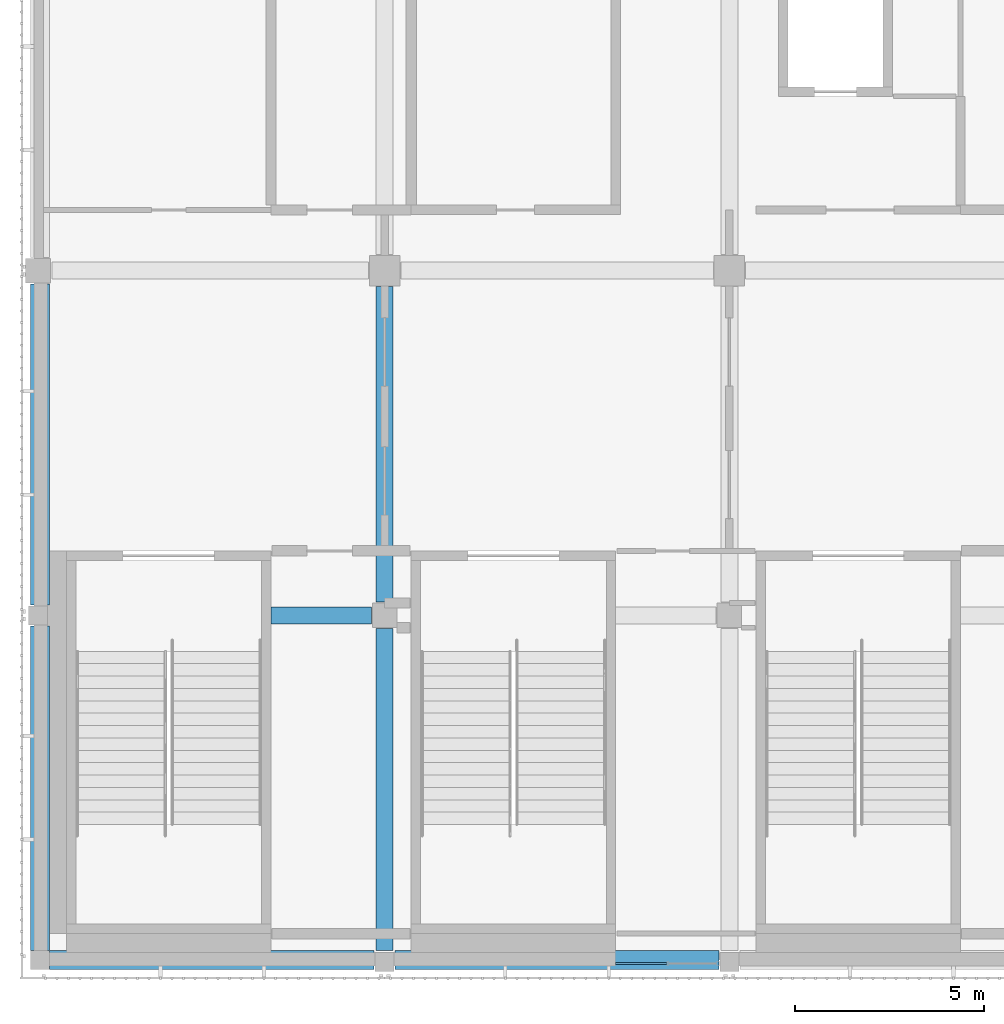
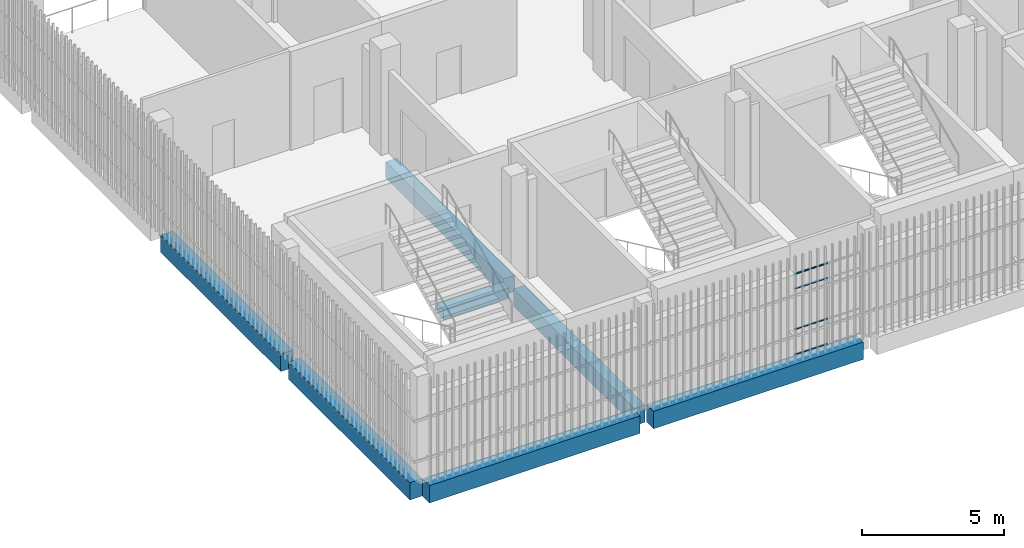
# One storey, part 3 of 104: 7 beams, 4 members, 1 element without a shape of its own.
"""IFC4 building model written with IfcOpenShell, lengths in metres."""

from ifc_helpers import new_model, si_unit, direction, frame, origin, origin_2d, place, context, subcontext, project, spatial, rectangle, hollow_rectangle, extrude, material, layer, layer_set, material_profile, profile_set, type_object, element, aggregate, save


model = new_model("IFC4")

# Units and contexts
model_context = context("Model", 3, precision=1e-05, world=origin(), true_north=direction((0.0, 1.0)))
body_context = subcontext(model_context, "Body", "Model", "MODEL_VIEW")
ifc_project = project(units=[si_unit("LENGTHUNIT", "METRE"), si_unit("AREAUNIT", "SQUARE_METRE"), si_unit("VOLUMEUNIT", "CUBIC_METRE"), si_unit("PLANEANGLEUNIT", "RADIAN"), si_unit("MASSUNIT", "GRAM", prefix="KILO")], contexts=[model_context])

# Site, building, storey
site_placement = place(None, origin())
site = spatial("IfcSite", under=ifc_project, at=site_placement, CompositionType="ELEMENT")
building_placement = place(site_placement, origin())
building = spatial("IfcBuilding", under=site, at=building_placement, Name="Shirokan Park Arena", CompositionType="ELEMENT")
storey_placement = place(building_placement, frame((0.0, 0.0, 10.919921875)))
storey = spatial("IfcBuildingStorey", under=building, at=storey_placement, Name="L02", CompositionType="ELEMENT", Elevation=10.919921875)

# Beams
ifc_material_1 = material(Name="Concrete C35", Category="concrete")
ifc_material_profile_1 = material_profile(ifc_material_1, rectangle(XDim=0.449951171875, YDim=0.699951171875, at=origin_2d()), Name="450x700")
ifc_profile_set_1 = profile_set([ifc_material_profile_1], Name="Concrete C35")
beam_type_1 = type_object("IfcBeamType", Name="RC girder 450x700", PredefinedType="BEAM", material=ifc_profile_set_1)
beam_1_placement = place(storey_placement, frame((9.10009765625, 9.4501953125, -0.64990234375), z_axis=(0.0, 1.0, 0.0), x_axis=(-1.0, 0.0, 0.0)))
element("IfcBeam", 1, at=beam_1_placement, inside=storey, type_object=beam_type_1, Name="Girder 2B-2C L02", PredefinedType="BEAM", context=body_context, shape_type="SweptSolid", body=[
    extrude(rectangle(XDim=0.449951171875, YDim=0.699951171875, at=origin_2d()), origin(), (0.0, 0.0, 1.0), 8.32470703125),
])
ifc_material_profile_2 = material_profile(ifc_material_1, rectangle(XDim=0.449951171875, YDim=0.75, at=origin_2d()), Name="450x750")
ifc_profile_set_2 = profile_set([ifc_material_profile_2], Name="Concrete C35")
beam_type_2 = type_object("IfcBeamType", Name="RC girder 450x750", PredefinedType="BEAM", material=ifc_profile_set_2)
beam_2_placement = place(storey_placement, frame((9.10009765625, 0.25, -0.6748046875), z_axis=(0.0, 1.0, 0.0), x_axis=(-1.0, 0.0, 0.0)))
element("IfcBeam", 2, at=beam_2_placement, inside=storey, type_object=beam_type_2, Name="Girder 2A-2B L02", PredefinedType="BEAM", context=body_context, shape_type="SweptSolid", body=[
    extrude(rectangle(XDim=0.449951171875, YDim=0.75, at=origin_2d()), origin(), (0.0, 0.0, 1.0), 8.5),
])
ifc_material_profile_3 = material_profile(ifc_material_1, rectangle(XDim=0.5, YDim=0.75, at=origin_2d()), Name="500x750")
ifc_profile_set_3 = profile_set([ifc_material_profile_3], Name="Concrete C35")
beam_type_3 = type_object("IfcBeamType", Name="RC girder 500x750", PredefinedType="BEAM", material=ifc_profile_set_3)
beam_3_placement = place(storey_placement, frame((0.25, 0.0, -0.6748046875), z_axis=(1.0, 0.0, 0.0), x_axis=(0.0, 1.0, 0.0)))
element("IfcBeam", 3, at=beam_3_placement, inside=storey, type_object=beam_type_3, Name="Girder 1A-2A L02", PredefinedType="BEAM", context=body_context, shape_type="SweptSolid", body=[
    extrude(rectangle(XDim=0.5, YDim=0.75, at=origin_2d()), origin(), (0.0, 0.0, 1.0), 8.574951171875),
])
beam_4_placement = place(storey_placement, frame((9.375, 0.0, -0.6748046875), z_axis=(1.0, 0.0, 0.0), x_axis=(0.0, 1.0, 0.0)))
element("IfcBeam", 4, at=beam_4_placement, inside=storey, type_object=beam_type_3, Name="Girder 2A-3A L02", PredefinedType="BEAM", context=body_context, shape_type="SweptSolid", body=[
    extrude(rectangle(XDim=0.5, YDim=0.75, at=origin_2d()), origin(), (0.0, 0.0, 1.0), 8.5498046875),
])
beam_5_placement = place(storey_placement, frame((0.0, 0.25, -0.6748046875), z_axis=(0.0, 1.0, 0.0), x_axis=(-1.0, 0.0, 0.0)))
element("IfcBeam", 5, at=beam_5_placement, inside=storey, type_object=beam_type_3, Name="Girder 1A-1B L02", PredefinedType="BEAM", context=body_context, shape_type="SweptSolid", body=[
    extrude(rectangle(XDim=0.5, YDim=0.75, at=origin_2d()), origin(), (0.0, 0.0, 1.0), 8.574951171875),
])
beam_6_placement = place(storey_placement, frame((0.0, 9.375, -0.6748046875), z_axis=(0.0, 1.0, 0.0), x_axis=(-1.0, 0.0, 0.0)))
element("IfcBeam", 6, at=beam_6_placement, inside=storey, type_object=beam_type_3, Name="Girder 1B-1C L02", PredefinedType="BEAM", context=body_context, shape_type="SweptSolid", body=[
    extrude(rectangle(XDim=0.5, YDim=0.75, at=origin_2d()), origin(), (0.0, 0.0, 1.0), 8.474853515625),
])
ifc_material_profile_4 = material_profile(ifc_material_1, rectangle(XDim=0.449951171875, YDim=0.449951171875, at=origin_2d()), Name="450x450")
ifc_profile_set_4 = profile_set([ifc_material_profile_4], Name="Concrete C35")
beam_type_4 = type_object("IfcBeamType", Name="RC trimmer 450x450", PredefinedType="BEAM", material=ifc_profile_set_4)
beam_7_placement = place(storey_placement, frame((6.10009765625, 9.10009765625, -0.52490234375), z_axis=(1.0, 0.0, 0.0), x_axis=(0.0, 1.0, 0.0)))
element("IfcBeam", 7, at=beam_7_placement, inside=storey, type_object=beam_type_4, Name="Girder 1B-2B L02", PredefinedType="BEAM", context=body_context, shape_type="SweptSolid", body=[
    extrude(rectangle(XDim=0.449951171875, YDim=0.449951171875, at=origin_2d()), origin(), (0.0, 0.0, 1.0), 2.64990234375),
])

# Curtain wall, members
ifc_material_2 = material(Name="Steel and glass curtain wall", Category="steel")
ifc_layer = layer(ifc_material_2, 0.1201171875)
ifc_layer_set = layer_set([ifc_layer], Name="Steel and glass curtain wall 120 mm")
curtain_wall_type = type_object("IfcCurtainWallType", Name="Curtain wall corner block side bay 120", PredefinedType="NOTDEFINED", material=ifc_layer_set)
curtain_wall_placement = place(storey_placement, origin())
curtain_wall = element("IfcCurtainWall", 8, at=curtain_wall_placement, inside=storey, type_object=curtain_wall_type, Name="Curtain wall south bay 2 L02", PredefinedType="NOTDEFINED")
ifc_material_3 = material(Name="Steel S355", Category="steel")
ifc_material_profile_5 = material_profile(ifc_material_3, hollow_rectangle(XDim=0.06005859375, YDim=0.0400390625, WallThickness=0.00390625, at=origin_2d()), Name="RHS 60x40x4")
ifc_profile_set_5 = profile_set([ifc_material_profile_5], Name="Steel S355")
member_type = type_object("IfcMemberType", Name="Transom RHS 60x40x4", PredefinedType="MULLION", material=ifc_profile_set_5)
member_1_placement = place(storey_placement, frame((15.199951171875, -0.090087890625, 0.02001953125), z_axis=(1.0, 0.0, 0.0), x_axis=(0.0, 1.0, 0.0)))
member_1 = element("IfcMember", 9, at=member_1_placement, type_object=member_type, Name="CW3 transom 1.1", PredefinedType="MULLION", context=body_context, shape_type="SweptSolid", body=[
    extrude(hollow_rectangle(XDim=0.06005859375, YDim=0.0400390625, WallThickness=0.00390625, at=origin_2d()), origin(), (0.0, 0.0, 1.0), 1.35009765625),
])
member_2_placement = place(storey_placement, frame((15.199951171875, -0.090087890625, 1.10009765625), z_axis=(1.0, 0.0, 0.0), x_axis=(0.0, 1.0, 0.0)))
member_2 = element("IfcMember", 10, at=member_2_placement, type_object=member_type, Name="CW3 transom 1.2", PredefinedType="MULLION", context=body_context, shape_type="SweptSolid", body=[
    extrude(hollow_rectangle(XDim=0.06005859375, YDim=0.0400390625, WallThickness=0.00390625, at=origin_2d()), origin(), (0.0, 0.0, 1.0), 1.35009765625),
])
member_3_placement = place(storey_placement, frame((15.199951171875, -0.090087890625, 2.85009765625), z_axis=(1.0, 0.0, 0.0), x_axis=(0.0, 1.0, 0.0)))
member_3 = element("IfcMember", 11, at=member_3_placement, type_object=member_type, Name="CW3 transom 1.3", PredefinedType="MULLION", context=body_context, shape_type="SweptSolid", body=[
    extrude(hollow_rectangle(XDim=0.06005859375, YDim=0.0400390625, WallThickness=0.00390625, at=origin_2d()), origin(), (0.0, 0.0, 1.0), 1.35009765625),
])
member_4_placement = place(storey_placement, frame((15.199951171875, -0.090087890625, 3.47998046875), z_axis=(1.0, 0.0, 0.0), x_axis=(0.0, 1.0, 0.0)))
member_4 = element("IfcMember", 12, at=member_4_placement, type_object=member_type, Name="CW3 transom 1.4", PredefinedType="MULLION", context=body_context, shape_type="SweptSolid", body=[
    extrude(hollow_rectangle(XDim=0.06005859375, YDim=0.0400390625, WallThickness=0.00390625, at=origin_2d()), origin(), (0.0, 0.0, 1.0), 1.35009765625),
])
aggregate(curtain_wall, [member_1, member_2, member_3, member_4])

save(model, "model.ifc")
